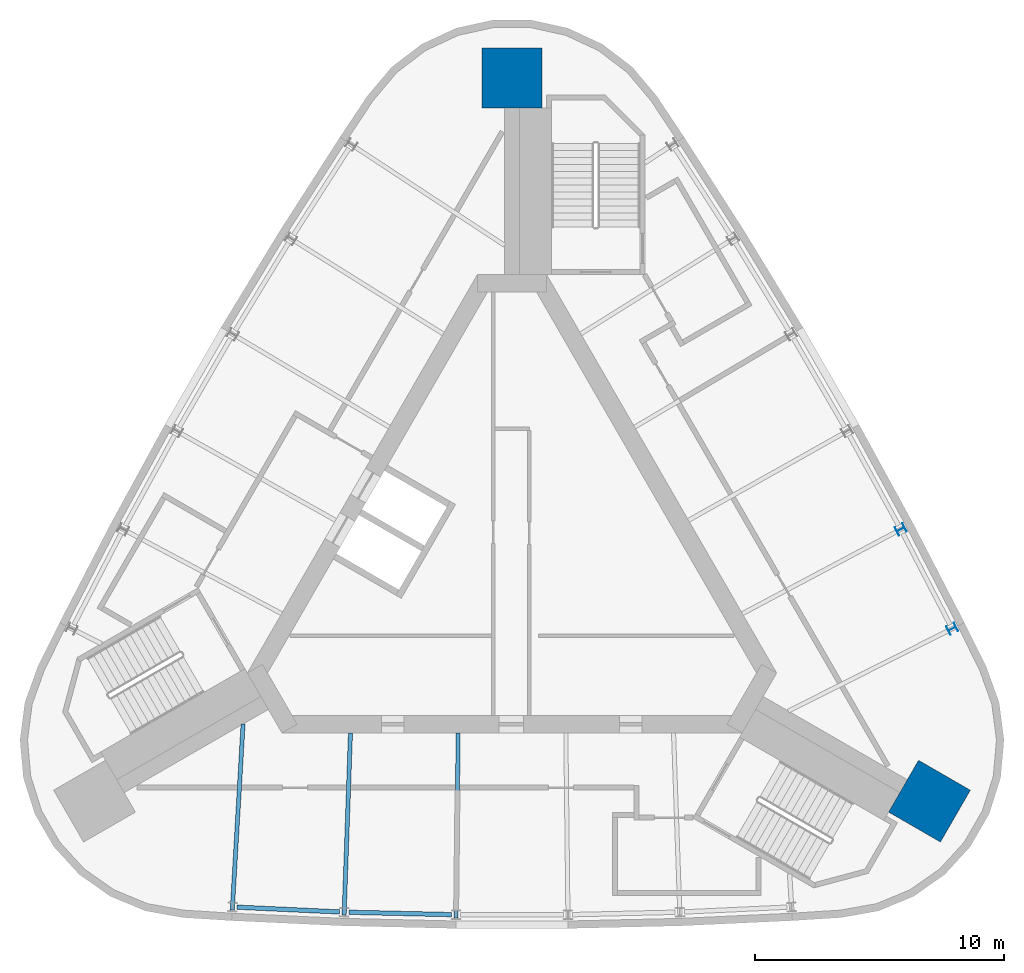
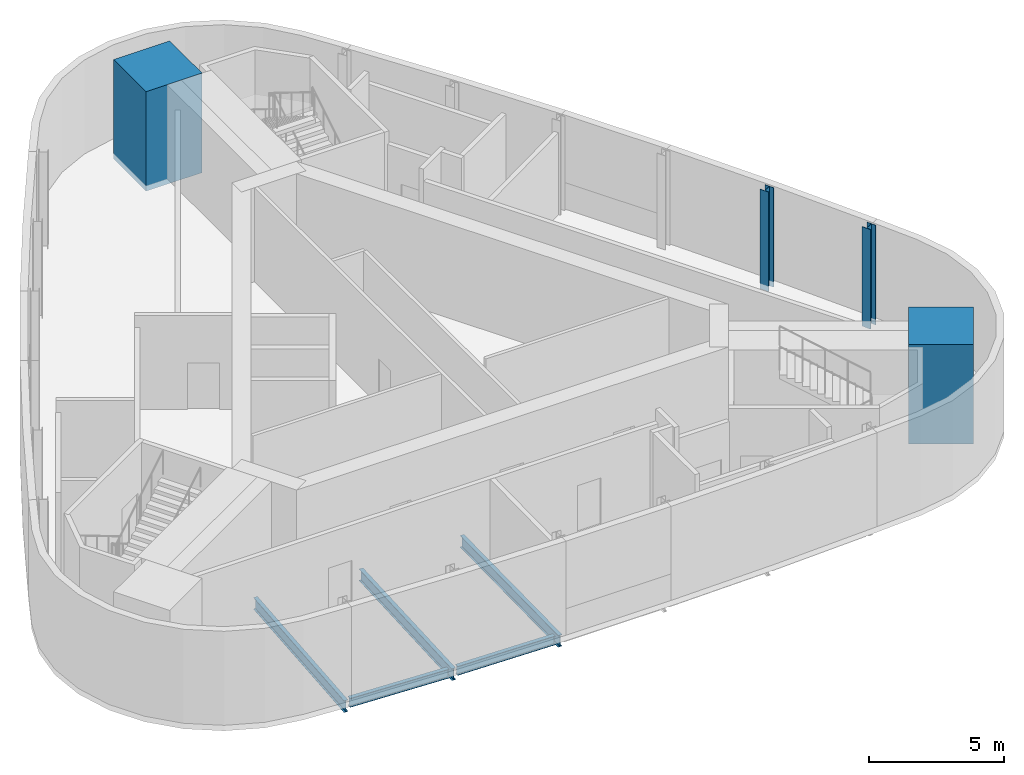
# One storey, part 2 of 7: 5 beams, 4 columns.
"""IFC4 building model written with IfcOpenShell, lengths in metres."""

from ifc_helpers import new_model, si_unit, direction, frame, origin, origin_2d, place, context, subcontext, project, spatial, rectangle, i_section, extrude, material, material_profile, profile_set, type_object, element, save


model = new_model("IFC4")

# Units and contexts
model_context = context("Model", 3, precision=1e-05, world=origin(), true_north=direction((0.0, 1.0)))
body_context = subcontext(model_context, "Body", "Model", "MODEL_VIEW")
ifc_project = project(units=[si_unit("LENGTHUNIT", "METRE"), si_unit("AREAUNIT", "SQUARE_METRE"), si_unit("VOLUMEUNIT", "CUBIC_METRE"), si_unit("PLANEANGLEUNIT", "RADIAN"), si_unit("MASSUNIT", "GRAM", prefix="KILO")], contexts=[model_context])

# Site, building, storey
site_placement = place(None, origin())
site = spatial("IfcSite", under=ifc_project, at=site_placement, CompositionType="ELEMENT")
building_placement = place(site_placement, origin())
building = spatial("IfcBuilding", under=site, at=building_placement, Name="Noor Cloister Tower", CompositionType="ELEMENT")
storey_placement = place(building_placement, frame((0.0, 0.0, 279.60009765625)))
storey = spatial("IfcBuildingStorey", under=building, at=storey_placement, Name="L71", CompositionType="ELEMENT", Elevation=279.60009765625)

# Columns
ifc_material_1 = material(Name="Steel ASTM A992 Gr 50", Category="steel")
ifc_material_profile_1 = material_profile(ifc_material_1, i_section(OverallWidth=0.367919921875, OverallDepth=0.35595703125, WebThickness=0.01123046875, FlangeThickness=0.01806640625, FilletRadius=0.015380859375, at=origin_2d()), Name="W360x134")
ifc_profile_set_1 = profile_set([ifc_material_profile_1], Name="Steel ASTM A992 Gr 50")
column_type_1 = type_object("IfcColumnType", Name="Column W360x134", PredefinedType="COLUMN", material=ifc_profile_set_1)
for number, where, z_axis, x_axis, name in (
    (1, (17.653564453125, -2.75390625, -0.25), (0.0, 0.0, 1.0), (-0.448974965035, 0.893544336209, 0.0), "Column NE 01 L71"),
    (2, (15.592529296875, 1.231689453125, -0.25), (0.0, 0.0, 1.0), (-0.469575774469, 0.882892174635, 0.0), "Column NE 02 L71"),
):
    element("IfcColumn", number, at=place(storey_placement, frame(where, z_axis=z_axis, x_axis=x_axis)), inside=storey, type_object=column_type_1, Name=name, PredefinedType="COLUMN", context=body_context, shape_type="SweptSolid", body=[
        extrude(i_section(OverallWidth=0.367919921875, OverallDepth=0.35595703125, WebThickness=0.01123046875, FlangeThickness=0.01806640625, FilletRadius=0.015380859375, at=origin_2d()), origin(), (0.0, 0.0, 1.0), 4.5),
    ])
ifc_material_2 = material(Name="Concrete C50/60", Category="concrete")
ifc_material_profile_2 = material_profile(ifc_material_2, rectangle(XDim=2.39990234375, YDim=2.39990234375, at=origin_2d()), Name="RC 2400x2400")
ifc_profile_set_2 = profile_set([ifc_material_profile_2], Name="Concrete C50/60")
column_type_2 = type_object("IfcColumnType", Name="Corner pier 2400 x 2400 C50/60", PredefinedType="COLUMN", material=ifc_profile_set_2)
for number, where, z_axis, x_axis, name in (
    (3, (0.0, 19.3349609375, -0.25), (0.0, 0.0, 1.0), (0.0, 1.0, 0.0), "Corner pier N L71"),
    (4, (16.74462890625, -9.66748046875, -0.25), (0.0, 0.0, 1.0), (0.866025403784, -0.5, 0.0), "Corner pier SE L71"),
):
    element("IfcColumn", number, at=place(storey_placement, frame(where, z_axis=z_axis, x_axis=x_axis)), inside=storey, type_object=column_type_2, Name=name, PredefinedType="COLUMN", context=body_context, shape_type="SweptSolid", body=[
        extrude(rectangle(XDim=2.39990234375, YDim=2.39990234375, at=origin_2d()), origin(), (0.0, 0.0, 1.0), 4.5),
    ])

# Beams
ifc_material_3 = material(Name="Steel ASTM A992 Gr 50", Category="steel")
ifc_material_profile_3 = material_profile(ifc_material_3, i_section(OverallWidth=0.166015625, OverallDepth=0.528076171875, WebThickness=0.009765625, FlangeThickness=0.013671875, FilletRadius=0.0126953125, at=origin_2d()), Name="W530x74")
ifc_profile_set_3 = profile_set([ifc_material_profile_3], Name="Steel ASTM A992 Gr 50")
beam_type_1 = type_object("IfcBeamType", Name="Radial beam W530x74", PredefinedType="BEAM", material=ifc_profile_set_3)
beam_1_placement = place(storey_placement, frame((-11.218994140625, -14.033203125, -0.51416015625), z_axis=(0.057963519573, 0.998318701818, 0.0), x_axis=(-0.998318701818, 0.057963519573, 0.0)))
element("IfcBeam", 5, at=beam_1_placement, inside=storey, type_object=beam_type_1, Name="Radial beam S 01 L71", PredefinedType="BEAM", context=body_context, shape_type="SweptSolid", body=[
    extrude(i_section(OverallWidth=0.166015625, OverallDepth=0.528076171875, WebThickness=0.009765625, FlangeThickness=0.013671875, FilletRadius=0.0126953125, at=origin_2d()), origin(), (0.0, 0.0, 1.0), 7.471923828125),
])
beam_2_placement = place(storey_placement, frame((-6.733642578125, -14.241455078125, -0.51416015625), z_axis=(0.034764484893, 0.999395532605, 0.0), x_axis=(-0.999395532605, 0.034764484893, 0.0)))
element("IfcBeam", 6, at=beam_2_placement, inside=storey, type_object=beam_type_1, Name="Radial beam S 02 L71", PredefinedType="BEAM", context=body_context, shape_type="SweptSolid", body=[
    extrude(i_section(OverallWidth=0.166015625, OverallDepth=0.528076171875, WebThickness=0.009765625, FlangeThickness=0.013671875, FilletRadius=0.0126953125, at=origin_2d()), origin(), (0.0, 0.0, 1.0), 7.317626953125),
])
beam_3_placement = place(storey_placement, frame((-2.244873046875, -14.345458984375, -0.51416015625), z_axis=(0.011585411151, 0.999932886872, 0.0), x_axis=(-0.999932886872, 0.011585411151, 0.0)))
element("IfcBeam", 7, at=beam_3_placement, inside=storey, type_object=beam_type_1, Name="Radial beam S 03 L71", PredefinedType="BEAM", context=body_context, shape_type="SweptSolid", body=[
    extrude(i_section(OverallWidth=0.166015625, OverallDepth=0.528076171875, WebThickness=0.009765625, FlangeThickness=0.013671875, FilletRadius=0.0126953125, at=origin_2d()), origin(), (0.0, 0.0, 1.0), 7.417724609375),
])
ifc_material_4 = material(Name="Steel ASTM A992 Gr 50", Category="steel")
ifc_material_profile_4 = material_profile(ifc_material_4, i_section(OverallWidth=0.177978515625, OverallDepth=0.406005859375, WebThickness=0.0078125, FlangeThickness=0.0126953125, FilletRadius=0.01025390625, at=origin_2d()), Name="W410x60")
ifc_profile_set_4 = profile_set([ifc_material_profile_4], Name="Steel ASTM A992 Gr 50")
beam_type_2 = type_object("IfcBeamType", Name="Spandrel beam W410x60", PredefinedType="SPANDREL", material=ifc_profile_set_4)
beam_4_placement = place(storey_placement, frame((-11.028076171875, -13.919921875, -0.453125), z_axis=(0.998925325351, -0.046348617801, 0.0), x_axis=(0.046348617801, 0.998925325351, 0.0)))
element("IfcBeam", 8, at=beam_4_placement, inside=storey, type_object=beam_type_2, Name="Spandrel beam S 01 L71", PredefinedType="SPANDREL", context=body_context, shape_type="SweptSolid", body=[
    extrude(i_section(OverallWidth=0.177978515625, OverallDepth=0.406005859375, WebThickness=0.0078125, FlangeThickness=0.0126953125, FilletRadius=0.01025390625, at=origin_2d()), origin(), (0.0, 0.0, 1.0), 4.119140625),
])
beam_5_placement = place(storey_placement, frame((-6.545654296875, -14.123779296875, -0.453125), z_axis=(0.999731452345, -0.023173760841, 0.0), x_axis=(0.023173760841, 0.999731452345, 0.0)))
element("IfcBeam", 9, at=beam_5_placement, inside=storey, type_object=beam_type_2, Name="Spandrel beam S 02 L71", PredefinedType="SPANDREL", context=body_context, shape_type="SweptSolid", body=[
    extrude(i_section(OverallWidth=0.177978515625, OverallDepth=0.406005859375, WebThickness=0.0078125, FlangeThickness=0.0126953125, FilletRadius=0.01025390625, at=origin_2d()), origin(), (0.0, 0.0, 1.0), 4.119384765625),
])

save(model, "model.ifc")
